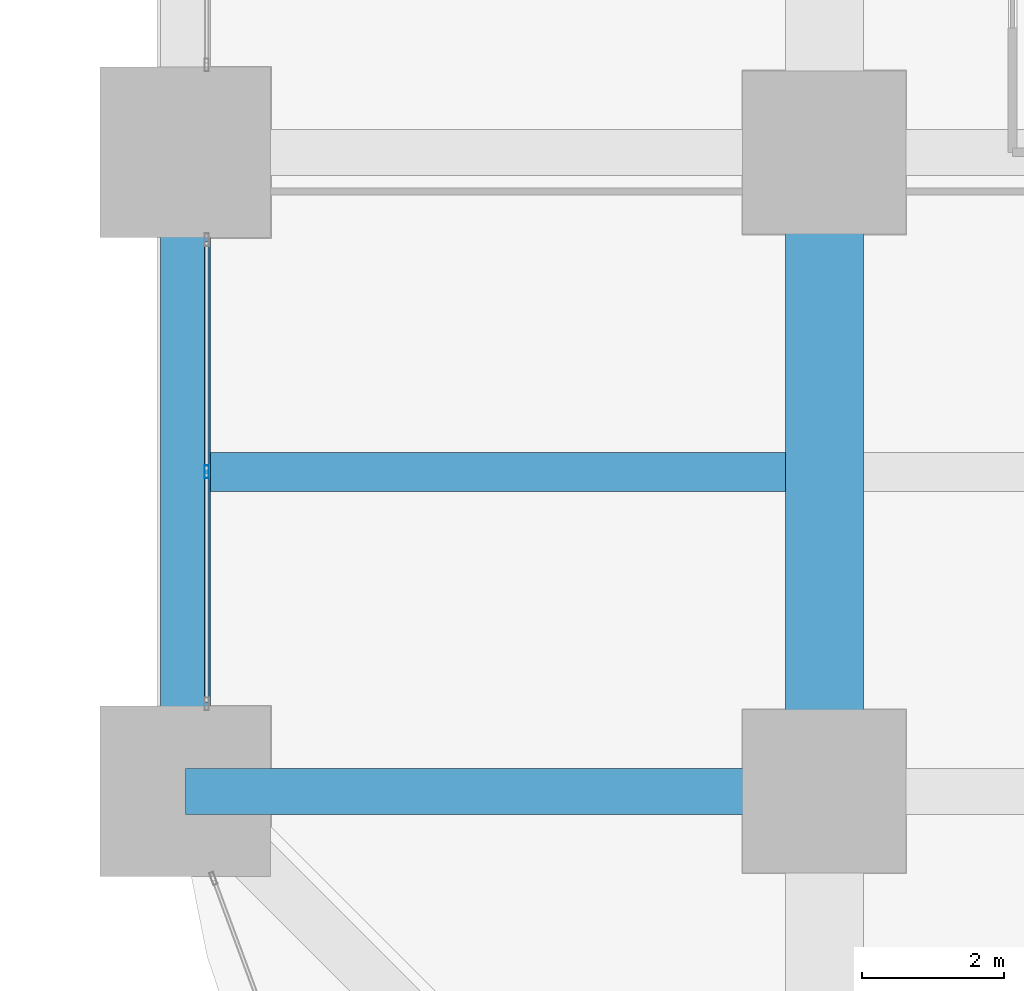
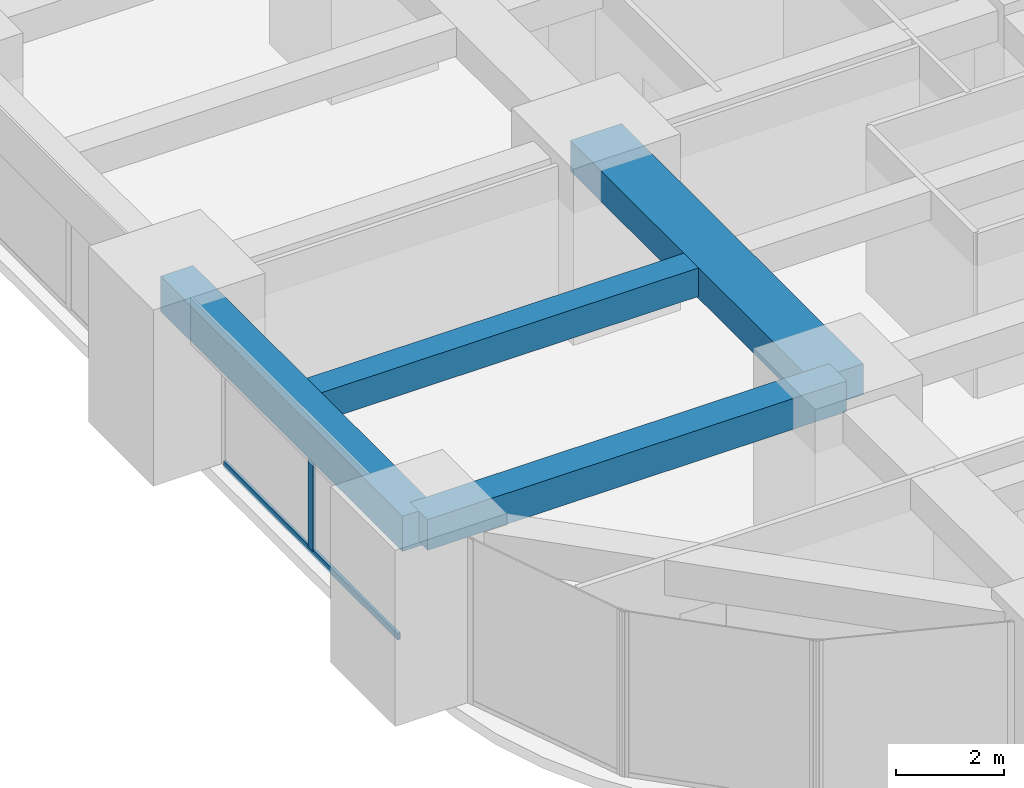
# One storey, part 3 of 39: 4 beams, 2 members, 1 element without a shape of its own.
"""IFC4 building model written with IfcOpenShell, lengths in metres."""

from ifc_helpers import new_model, si_unit, direction, frame, origin, origin_2d, place, context, subcontext, project, spatial, rectangle, hollow_rectangle, extrude, material, material_profile, profile_set, type_object, element, aggregate, save


model = new_model("IFC4")

# Units and contexts
model_context = context("Model", 3, precision=1e-05, world=origin(), true_north=direction((0.0, 1.0)))
body_context = subcontext(model_context, "Body", "Model", "MODEL_VIEW")
ifc_project = project(units=[si_unit("LENGTHUNIT", "METRE"), si_unit("AREAUNIT", "SQUARE_METRE"), si_unit("VOLUMEUNIT", "CUBIC_METRE"), si_unit("PLANEANGLEUNIT", "RADIAN"), si_unit("MASSUNIT", "GRAM", prefix="KILO")], contexts=[model_context])

# Site, building, storey
site_placement = place(None, origin())
site = spatial("IfcSite", under=ifc_project, at=site_placement, CompositionType="ELEMENT")
building_placement = place(site_placement, origin())
building = spatial("IfcBuilding", under=site, at=building_placement, Name="Zorevar Civic Tower", CompositionType="ELEMENT")
storey_placement = place(building_placement, frame((0.0, 0.0, 19.800048828125)))
storey = spatial("IfcBuildingStorey", under=building, at=storey_placement, Name="L04", CompositionType="ELEMENT", Elevation=19.800048828125)

# Beams
ifc_material_1 = material(Name="Concrete C50/60", Category="concrete")
ifc_material_profile_1 = material_profile(ifc_material_1, rectangle(XDim=1.10009765625, YDim=0.699951171875, at=origin_2d()), Name="RC 1100x700")
ifc_profile_set_1 = profile_set([ifc_material_profile_1], Name="Concrete C50/60")
beam_type_1 = type_object("IfcBeamType", Name="Beam RC 1100x700", PredefinedType="BEAM", material=ifc_profile_set_1)
beam_1_placement = place(storey_placement, frame((9.0, 9.0, 3.39990234375), z_axis=(0.0, 1.0, 0.0), x_axis=(-1.0, 0.0, 0.0)))
element("IfcBeam", 1, at=beam_1_placement, inside=storey, type_object=beam_type_1, Name="Girder L05", PredefinedType="BEAM", context=body_context, shape_type="SweptSolid", body=[
    extrude(rectangle(XDim=1.10009765625, YDim=0.699951171875, at=origin_2d()), origin(), (0.0, 0.0, 1.0), 9.0),
])
ifc_material_2 = material(Name="Concrete C50/60", Category="concrete")
ifc_material_profile_2 = material_profile(ifc_material_2, rectangle(XDim=0.550048828125, YDim=0.64990234375, at=origin_2d()), Name="RC 550x650")
ifc_profile_set_2 = profile_set([ifc_material_profile_2], Name="Concrete C50/60")
beam_type_2 = type_object("IfcBeamType", Name="Beam RC 550x650", PredefinedType="BEAM", material=ifc_profile_set_2)
beam_2_placement = place(storey_placement, frame((0.35009765625, 13.5, 3.425048828125), z_axis=(1.0, 0.0, 0.0), x_axis=(0.0, 1.0, 0.0)))
element("IfcBeam", 2, at=beam_2_placement, inside=storey, type_object=beam_type_2, Name="Secondary beam L05", PredefinedType="BEAM", context=body_context, shape_type="SweptSolid", body=[
    extrude(rectangle(XDim=0.550048828125, YDim=0.64990234375, at=origin_2d()), origin(), (0.0, 0.0, 1.0), 8.099853515625),
])
ifc_material_3 = material(Name="Concrete C50/60", Category="concrete")
ifc_material_profile_3 = material_profile(ifc_material_3, rectangle(XDim=0.64990234375, YDim=0.699951171875, at=origin_2d()), Name="RC 650x700")
ifc_profile_set_3 = profile_set([ifc_material_profile_3], Name="Concrete C50/60")
beam_type_3 = type_object("IfcBeamType", Name="Beam RC 650x700", PredefinedType="BEAM", material=ifc_profile_set_3)
beam_3_placement = place(storey_placement, frame((0.0, 9.0, 3.39990234375), z_axis=(1.0, 0.0, 0.0), x_axis=(0.0, 1.0, 0.0)))
element("IfcBeam", 3, at=beam_3_placement, inside=storey, type_object=beam_type_3, Name="Girder L05", PredefinedType="BEAM", context=body_context, shape_type="SweptSolid", body=[
    extrude(rectangle(XDim=0.64990234375, YDim=0.699951171875, at=origin_2d()), origin(), (0.0, 0.0, 1.0), 9.0),
])

# Curtain wall, members
ifc_material_4 = material(Name="Dark grey solar-control glass in black aluminium frame", Category="aluminium")
curtain_wall_type = type_object("IfcCurtainWallType", Name="Curtain wall CW2 low zone", PredefinedType="NOTDEFINED", material=ifc_material_4)
curtain_wall_placement = place(storey_placement, origin())
curtain_wall = element("IfcCurtainWall", 4, at=curtain_wall_placement, inside=storey, type_object=curtain_wall_type, Name="CW2 L04", PredefinedType="NOTDEFINED")
ifc_material_5 = material(Name="Aluminium, black anodised", Category="aluminium")
ifc_material_profile_4 = material_profile(ifc_material_5, hollow_rectangle(XDim=0.06005859375, YDim=0.179931640625, WallThickness=0.00390625, at=origin_2d()), Name="AL 180x60x4")
ifc_profile_set_4 = profile_set([ifc_material_profile_4], Name="Aluminium, black anodised")
member_type_1 = type_object("IfcMemberType", Name="CW2 mullion AL 180x60x4", PredefinedType="MULLION", material=ifc_profile_set_4)
member_1_placement = place(storey_placement, frame((0.300048828125, 13.5, 0.06005859375), z_axis=(0.0, 0.0, 1.0), x_axis=(-1.0, 0.0, 0.0)))
member_1 = element("IfcMember", 5, at=member_1_placement, type_object=member_type_1, Name="CW2 mullion 2", PredefinedType="MULLION", context=body_context, shape_type="SweptSolid", body=[
    extrude(hollow_rectangle(XDim=0.06005859375, YDim=0.179931640625, WallThickness=0.00390625, at=origin_2d()), origin(), (0.0, 0.0, 1.0), 2.889892578125),
])
ifc_material_6 = material(Name="Aluminium, black anodised", Category="aluminium")
ifc_material_profile_5 = material_profile(ifc_material_6, hollow_rectangle(XDim=0.06005859375, YDim=0.14990234375, WallThickness=0.00390625, at=origin_2d()), Name="AL 150x60x4")
ifc_profile_set_5 = profile_set([ifc_material_profile_5], Name="Aluminium, black anodised")
member_type_2 = type_object("IfcMemberType", Name="CW2 transom AL 150x60x4", PredefinedType="USERDEFINED", material=ifc_profile_set_5)
member_2_placement = place(storey_placement, frame((0.300048828125, 10.260009765625, 0.030029296875), z_axis=(0.0, 1.0, 0.0), x_axis=(-1.0, 0.0, 0.0)))
member_2 = element("IfcMember", 6, at=member_2_placement, type_object=member_type_2, Name="CW2 sill transom", ObjectType="TRANSOM", PredefinedType="USERDEFINED", context=body_context, shape_type="SweptSolid", body=[
    extrude(hollow_rectangle(XDim=0.06005859375, YDim=0.14990234375, WallThickness=0.00390625, at=origin_2d()), origin(), (0.0, 0.0, 1.0), 6.47998046875),
])
aggregate(curtain_wall, [member_1, member_2])

# Beam
ifc_material_7 = material(Name="Concrete C50/60", Category="concrete")
ifc_material_profile_6 = material_profile(ifc_material_7, rectangle(XDim=0.699951171875, YDim=0.800048828125, at=origin_2d()), Name="RC 700x800")
ifc_profile_set_6 = profile_set([ifc_material_profile_6], Name="Concrete C50/60")
beam_type_4 = type_object("IfcBeamType", Name="Edge beam RC 700x800", PredefinedType="SPANDREL", material=ifc_profile_set_6)
beam_4_placement = place(storey_placement, frame((0.0, 9.0, 3.349853515625), z_axis=(0.0, 1.0, 0.0), x_axis=(-1.0, 0.0, 0.0)))
element("IfcBeam", 7, at=beam_4_placement, inside=storey, type_object=beam_type_4, Name="Edge beam L05", PredefinedType="SPANDREL", context=body_context, shape_type="SweptSolid", body=[
    extrude(rectangle(XDim=0.699951171875, YDim=0.800048828125, at=origin_2d()), origin(), (0.0, 0.0, 1.0), 9.0),
])

save(model, "model.ifc")
